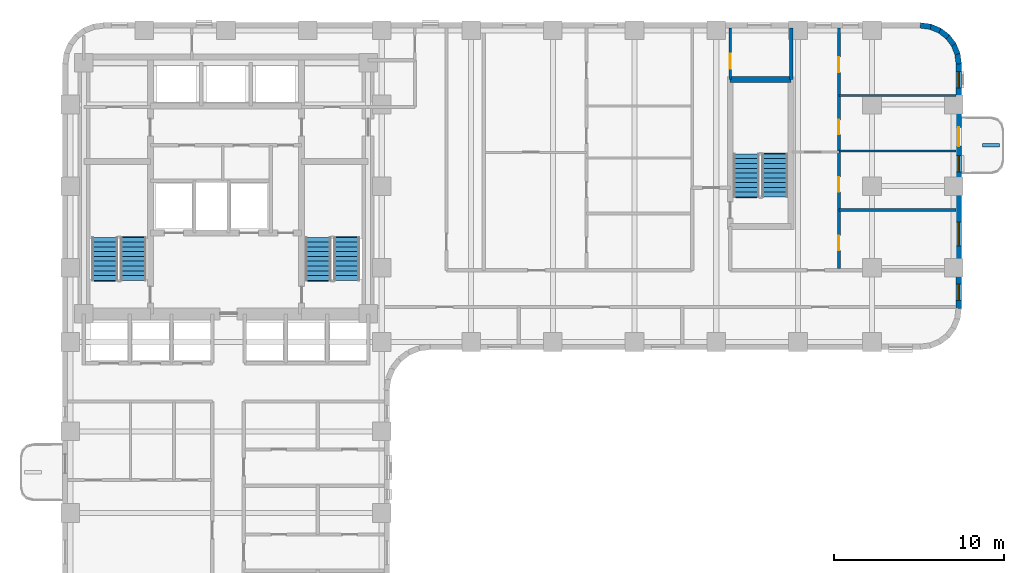
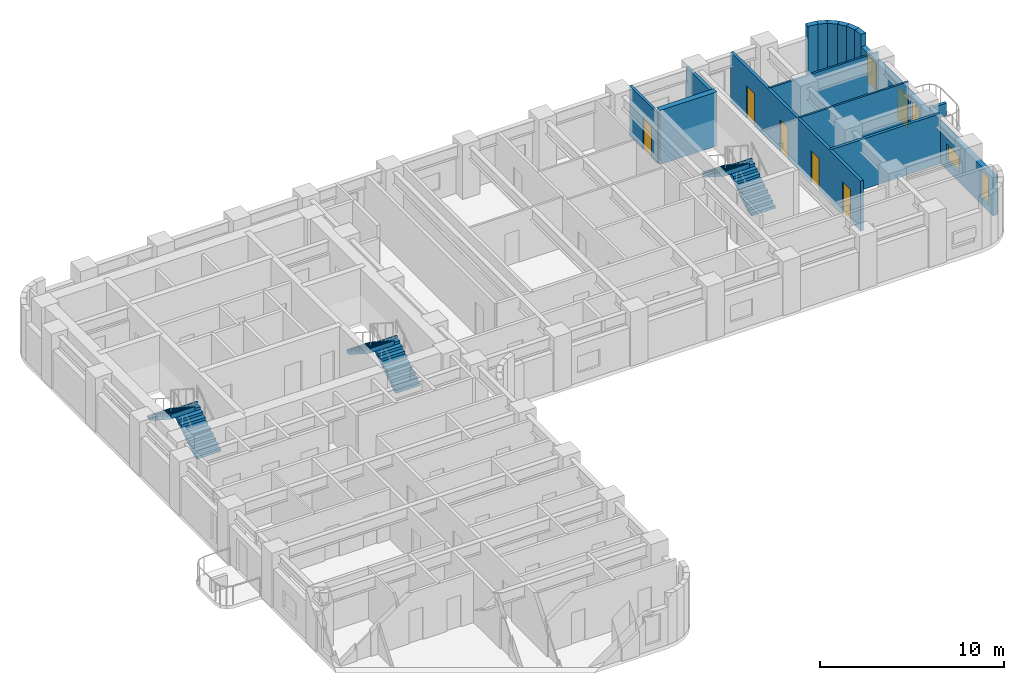
# One storey, part 7 of 11: 15 walls, 6 doors, 6 stair flights, 4 windows, 10 openings, 3 elements without a shape of their own.
"""IFC4 building model written with IfcOpenShell, lengths in metres."""

from ifc_helpers import new_model, si_unit, direction, frame, frame_2d, origin, place, context, subcontext, project, spatial, polyline, rectangle, outline, extrude, material, layer, layer_set, type_object, element, fill, aggregate, save


model = new_model("IFC4")

# Units and contexts
model_context = context("Model", 3, precision=1e-05, world=origin(), true_north=direction((0.0, 1.0)))
body_context = subcontext(model_context, "Body", "Model", "MODEL_VIEW")
ifc_project = project(units=[si_unit("LENGTHUNIT", "METRE"), si_unit("AREAUNIT", "SQUARE_METRE"), si_unit("VOLUMEUNIT", "CUBIC_METRE"), si_unit("PLANEANGLEUNIT", "RADIAN"), si_unit("MASSUNIT", "GRAM", prefix="KILO")], contexts=[model_context])

# Site, building, storey
site_placement = place(None, origin())
site = spatial("IfcSite", under=ifc_project, at=site_placement, CompositionType="ELEMENT")
building_placement = place(site_placement, origin())
building = spatial("IfcBuilding", under=site, at=building_placement, Name="Orvandelia Arch Residences", CompositionType="ELEMENT")
storey_placement = place(building_placement, frame((0.0, 0.0, 64.60009765625)))
storey = spatial("IfcBuildingStorey", under=building, at=storey_placement, Name="L16", CompositionType="ELEMENT", Elevation=64.60009765625)

# Walls
ifc_material_1 = material(Name="Concrete C50/60", Category="concrete")
ifc_layer_1 = layer(ifc_material_1, 0.35009765625, Name="Concrete C50/60", Category="concrete")
ifc_layer_set_1 = layer_set([ifc_layer_1], Name="Concrete C50/60")
wall_type_1 = type_object("IfcWallType", Name="WL-CORE-350", PredefinedType="SHEAR", material=ifc_layer_set_1)
wall_1_placement = place(storey_placement, frame((44.02001953125, 44.659912109375, 0.0), z_axis=(0.0, 0.0, 1.0), x_axis=(1.0, 0.0, 0.0)))
element("IfcWall", 1, at=wall_1_placement, inside=storey, type_object=wall_type_1, Name="East Stair Core Shear Wall L16-N", PredefinedType="SHEAR", context=body_context, shape_type="SweptSolid", body=[
    extrude(rectangle(XDim=3.580078125, YDim=0.35009765625, at=frame_2d((1.7900390625, 0.0))), origin(), (0.0, 0.0, 1.0), 3.599853515625),
])
ifc_material_2 = material(Name="Concrete C40/50", Category="concrete")
ifc_layer_2 = layer(ifc_material_2, 0.199951171875, Name="Concrete C40/50", Category="concrete")
ifc_layer_set_2 = layer_set([ifc_layer_2], Name="Concrete C40/50")
wall_type_2 = type_object("IfcWallType", Name="WL-DEM-200", PredefinedType="SOLIDWALL", material=ifc_layer_set_2)
wall_2_placement = place(storey_placement, frame((47.60009765625, 44.659912109375, 0.0), z_axis=(0.0, 0.0, 1.0), x_axis=(0.0, 1.0, 0.0)))
element("IfcWall", 2, at=wall_2_placement, inside=storey, type_object=wall_type_2, Name="Interior Partition Wall WL-L16-ES-NST3E", PredefinedType="SOLIDWALL", context=body_context, shape_type="SweptSolid", body=[
    extrude(rectangle(XDim=3.02001953125, YDim=0.199951171875, at=frame_2d((1.510009765625, 0.0))), origin(), (0.0, 0.0, 1.0), 3.349853515625),
])
ifc_material_3 = material(Name="Precast concrete C40/50", Category="concrete")
ifc_layer_3 = layer(ifc_material_3, 0.320068359375, Name="Precast concrete C40/50", Category="concrete")
ifc_layer_set_3 = layer_set([ifc_layer_3], Name="Precast concrete C40/50")
wall_type_3 = type_object("IfcWallType", Name="WL-EXT-STONE-320", PredefinedType="STANDARD", material=ifc_layer_set_3)
for number, where, z_axis, x_axis, name in (
    (3, (55.17919921875, 47.84130859375, 0.0), (0.0, 0.0, 1.0), (0.9914410257, -0.130555323746, 0.0), "Coral-Limestone Precast Facade Wall L16-008"),
    (4, (55.760009765625, 47.7705078125, 0.0), (0.0, 0.0, 1.0), (0.92389335771, -0.382650053678, 0.0), "Coral-Limestone Precast Facade Wall L16-009"),
):
    element("IfcWall", number, at=place(storey_placement, frame(where, z_axis=z_axis, x_axis=x_axis)), inside=storey, type_object=wall_type_3, Name=name, PredefinedType="STANDARD", context=body_context, shape_type="SweptSolid", body=[
        extrude(rectangle(XDim=0.62646484375, YDim=0.320068359375, at=frame_2d((0.313232421875, 0.0))), origin(), (0.0, 0.0, 1.0), 3.349853515625),
    ])
wall_3_placement = place(storey_placement, frame((56.302490234375, 47.551513671875, 0.0), z_axis=(0.0, 0.0, 1.0), x_axis=(0.793549926411, -0.608505147302, 0.0)))
element("IfcWall", 5, at=wall_3_placement, inside=storey, type_object=wall_type_3, Name="Coral-Limestone Precast Facade Wall L16-010", PredefinedType="STANDARD", context=body_context, shape_type="SweptSolid", body=[
    extrude(rectangle(XDim=0.626708984375, YDim=0.320068359375, at=frame_2d((0.3134765625, 0.0))), origin(), (0.0, 0.0, 1.0), 3.349853515625),
])
for number, where, z_axis, x_axis, name in (
    (6, (56.770263671875, 47.19970703125, 0.0), (0.0, 0.0, 1.0), (0.608693302629, -0.793405610854, 0.0), "Coral-Limestone Precast Facade Wall L16-011"),
    (7, (57.130615234375, 46.73876953125, 0.0), (0.0, 0.0, 1.0), (0.382650053678, -0.92389335771, 0.0), "Coral-Limestone Precast Facade Wall L16-012"),
    (8, (57.359619140625, 46.2001953125, 0.0), (0.0, 0.0, 1.0), (0.130555323746, -0.9914410257, 0.0), "Coral-Limestone Precast Facade Wall L16-013"),
):
    element("IfcWall", number, at=place(storey_placement, frame(where, z_axis=z_axis, x_axis=x_axis)), inside=storey, type_object=wall_type_3, Name=name, PredefinedType="STANDARD", context=body_context, shape_type="SweptSolid", body=[
        extrude(rectangle(XDim=0.62646484375, YDim=0.320068359375, at=frame_2d((0.313232421875, 0.0))), origin(), (0.0, 0.0, 1.0), 3.349853515625),
    ])

# Wall, openings, door, windows
wall_4_placement = place(storey_placement, frame((57.43994140625, 45.60009765625, 0.0), z_axis=(0.0, 0.0, 1.0), x_axis=(0.0, -1.0, 0.0)))
wall_4 = element("IfcWall", 9, at=wall_4_placement, inside=storey, type_object=wall_type_3, Name="Coral-Limestone Precast Facade Wall L16-014", PredefinedType="STANDARD", context=body_context, shape_type="SweptSolid", body=[
    extrude(rectangle(XDim=14.400146484375, YDim=0.320068359375, at=frame_2d((7.2001953125, 0.0))), origin(), (0.0, 0.0, 1.0), 2.52978515625),
])
opening_1_placement = place(wall_4_placement, frame((3.75, 0.0, 0.0)))
opening_1 = element("IfcOpeningElement", 10, at=opening_1_placement, cuts=wall_4, Name="Opening BD1", PredefinedType="OPENING", context=body_context, shape_type="SweptSolid", body=[
    extrude(rectangle(XDim=1.10009765625, YDim=2.14990234375, at=frame_2d((0.550048828125, 1.074951171875))), frame((0.0, 0.169921875, 0.0), z_axis=(0.0, -1.0, 0.0), x_axis=(1.0, 0.0, 0.0)), (0.0, 0.0, 1.0), 0.340087890625),
])
opening_2_placement = place(wall_4_placement, frame((0.469970703125, 0.0, 0.449951171875)))
opening_2 = element("IfcOpeningElement", 11, at=opening_2_placement, cuts=wall_4, Name="Opening W4", PredefinedType="OPENING", context=body_context, shape_type="SweptSolid", body=[
    extrude(rectangle(XDim=0.949951171875, YDim=1.800048828125, at=frame_2d((0.47509765625, 0.89990234375))), frame((0.0, 0.169921875, 0.0), z_axis=(0.0, -1.0, 0.0), x_axis=(1.0, 0.0, 0.0)), (0.0, 0.0, 1.0), 0.340087890625),
])
opening_3_placement = place(wall_4_placement, frame((12.9599609375, 0.0, 0.449951171875)))
opening_3 = element("IfcOpeningElement", 12, at=opening_3_placement, cuts=wall_4, Name="Opening W4", PredefinedType="OPENING", context=body_context, shape_type="SweptSolid", body=[
    extrude(rectangle(XDim=0.949951171875, YDim=1.800048828125, at=frame_2d((0.47509765625, 0.89990234375))), frame((0.0, 0.169921875, 0.0), z_axis=(0.0, -1.0, 0.0), x_axis=(1.0, 0.0, 0.0)), (0.0, 0.0, 1.0), 0.340087890625),
])
opening_4_placement = place(wall_4_placement, frame((9.3115234375, 0.0, 0.64990234375)))
opening_4 = element("IfcOpeningElement", 13, at=opening_4_placement, cuts=wall_4, Name="Opening W10", PredefinedType="OPENING", context=body_context, shape_type="SweptSolid", body=[
    extrude(rectangle(XDim=1.39990234375, YDim=1.10009765625, at=frame_2d((0.699951171875, 0.550048828125))), frame((0.0, 0.169921875, 0.0), z_axis=(0.0, -1.0, 0.0), x_axis=(1.0, 0.0, 0.0)), (0.0, 0.0, 1.0), 0.340087890625),
])
opening_5_placement = place(wall_4_placement, frame((5.407470703125, 0.0, 0.449951171875)))
opening_5 = element("IfcOpeningElement", 14, at=opening_5_placement, cuts=wall_4, Name="Opening W4", PredefinedType="OPENING", context=body_context, shape_type="SweptSolid", body=[
    extrude(rectangle(XDim=0.949951171875, YDim=1.800048828125, at=frame_2d((0.47509765625, 0.89990234375))), frame((0.0, 0.169921875, 0.0), z_axis=(0.0, -1.0, 0.0), x_axis=(1.0, 0.0, 0.0)), (0.0, 0.0, 1.0), 0.340087890625),
])
ifc_material_4 = material(Name="Thermally Broken Aluminium Glazed Door", Category="aluminium")
door_type_1 = type_object("IfcDoorType", Name="DR-BAL-GLAZ-1100", OperationType="NOTDEFINED", PredefinedType="DOOR", material=ifc_material_4)
door_1_placement = place(opening_1_placement, origin())
door_1 = element("IfcDoor", 15, at=door_1_placement, inside=storey, type_object=door_type_1, Name="Tree Balcony Glazed Door BAL-L16-E1", OperationType="SINGLE_SWING_LEFT", OverallHeight=2.14990234375, OverallWidth=1.10009765625, PredefinedType="DOOR", context=body_context, shape_type="SweptSolid", body=[
    extrude(rectangle(XDim=1.10009765625, YDim=2.14990234375, at=frame_2d((0.550048828125, 1.074951171875))), frame((0.0, 0.02490234375, 0.0), z_axis=(0.0, -1.0, 0.0), x_axis=(1.0, 0.0, 0.0)), (0.0, 0.0, 1.0), 0.050048828125),
])
fill(opening_1, door_1)
ifc_material_5 = material(Name="Tempered Low-E Insulated Glazing", Category="glass")
window_type_1 = type_object("IfcWindowType", Name="WIN-CLR-1400x1100", PartitioningType="SINGLE_PANEL", PredefinedType="WINDOW", material=ifc_material_5)
window_1_placement = place(opening_4_placement, origin())
window_1 = element("IfcWindow", 16, at=window_1_placement, inside=storey, type_object=window_type_1, Name="Recessed Punched Window L16-011", OverallHeight=1.10009765625, OverallWidth=1.39990234375, PartitioningType="SINGLE_PANEL", PredefinedType="WINDOW", context=body_context, shape_type="SweptSolid", body=[
    extrude(rectangle(XDim=1.39990234375, YDim=1.10009765625, at=frame_2d((0.699951171875, 0.550048828125))), frame((0.0, 0.030029296875, 0.0), z_axis=(0.0, -1.0, 0.0), x_axis=(1.0, 0.0, 0.0)), (0.0, 0.0, 1.0), 0.06005859375),
])
fill(opening_4, window_1)
window_type_2 = type_object("IfcWindowType", Name="WIN-RES-0950x1800", PartitioningType="SINGLE_PANEL", PredefinedType="WINDOW", material=ifc_material_5)
window_2_placement = place(opening_2_placement, origin())
window_2 = element("IfcWindow", 17, at=window_2_placement, inside=storey, type_object=window_type_2, Name="Recessed Punched Window L16-009", OverallHeight=1.800048828125, OverallWidth=0.949951171875, PartitioningType="SINGLE_PANEL", PredefinedType="WINDOW", context=body_context, shape_type="SweptSolid", body=[
    extrude(rectangle(XDim=0.949951171875, YDim=1.800048828125, at=frame_2d((0.47509765625, 0.89990234375))), frame((0.0, 0.030029296875, 0.0), z_axis=(0.0, -1.0, 0.0), x_axis=(1.0, 0.0, 0.0)), (0.0, 0.0, 1.0), 0.06005859375),
])
fill(opening_2, window_2)
window_3_placement = place(opening_3_placement, origin())
window_3 = element("IfcWindow", 18, at=window_3_placement, inside=storey, type_object=window_type_2, Name="Recessed Punched Window L16-010", OverallHeight=1.800048828125, OverallWidth=0.949951171875, PartitioningType="SINGLE_PANEL", PredefinedType="WINDOW", context=body_context, shape_type="SweptSolid", body=[
    extrude(rectangle(XDim=0.949951171875, YDim=1.800048828125, at=frame_2d((0.47509765625, 0.89990234375))), frame((0.0, 0.030029296875, 0.0), z_axis=(0.0, -1.0, 0.0), x_axis=(1.0, 0.0, 0.0)), (0.0, 0.0, 1.0), 0.06005859375),
])
fill(opening_3, window_3)
window_4_placement = place(opening_5_placement, origin())
window_4 = element("IfcWindow", 19, at=window_4_placement, inside=storey, type_object=window_type_2, Name="Recessed Punched Window L16-012", OverallHeight=1.800048828125, OverallWidth=0.949951171875, PartitioningType="SINGLE_PANEL", PredefinedType="WINDOW", context=body_context, shape_type="SweptSolid", body=[
    extrude(rectangle(XDim=0.949951171875, YDim=1.800048828125, at=frame_2d((0.47509765625, 0.89990234375))), frame((0.0, 0.030029296875, 0.0), z_axis=(0.0, -1.0, 0.0), x_axis=(1.0, 0.0, 0.0)), (0.0, 0.0, 1.0), 0.06005859375),
])
fill(opening_5, window_4)

# Walls
ifc_material_6 = material(Name="Lightweight Gypsum Stud Partition")
ifc_layer_4 = layer(ifc_material_6, 0.1201171875, Name="Lightweight Gypsum Stud Partition")
ifc_layer_set_4 = layer_set([ifc_layer_4], Name="Lightweight Gypsum Stud Partition")
wall_type_4 = type_object("IfcWallType", Name="WL-PART-120", PredefinedType="PARTITIONING", material=ifc_layer_set_4)
for number, where, z_axis, x_axis, name in (
    (20, (50.39697265625, 40.465087890625, 0.0), (0.0, 0.0, 1.0), (1.0, 0.0, 0.0), "Interior Partition Wall WL-L16-U08-H1B"),
    (21, (50.39697265625, 43.718994140625, 0.0), (0.0, 0.0, 1.0), (1.0, 0.0, 0.0), "Interior Partition Wall WL-L16-U08-H2"),
):
    element("IfcWall", number, at=place(storey_placement, frame(where, z_axis=z_axis, x_axis=x_axis)), inside=storey, type_object=wall_type_4, Name=name, PredefinedType="PARTITIONING", context=body_context, shape_type="SweptSolid", body=[
        extrude(rectangle(XDim=6.883056640625, YDim=0.1201171875, at=frame_2d((3.44140625, 0.0))), origin(), (0.0, 0.0, 1.0), 3.349853515625),
    ])

# Wall, opening, door
ifc_material_7 = material(Name="Acoustic Gypsum Stud Partition")
ifc_layer_5 = layer(ifc_material_7, 0.14990234375, Name="Acoustic Gypsum Stud Partition")
ifc_layer_set_5 = layer_set([ifc_layer_5], Name="Acoustic Gypsum Stud Partition")
wall_type_5 = type_object("IfcWallType", Name="WL-PART-150", PredefinedType="PARTITIONING", material=ifc_layer_set_5)
wall_5_placement = place(storey_placement, frame((44.02001953125, 44.659912109375, 0.0), z_axis=(0.0, 0.0, 1.0), x_axis=(0.0, 1.0, 0.0)))
wall_5 = element("IfcWall", 22, at=wall_5_placement, inside=storey, type_object=wall_type_5, Name="Interior Partition Wall WL-L16-ES-NST3W", PredefinedType="PARTITIONING", context=body_context, shape_type="SweptSolid", body=[
    extrude(rectangle(XDim=3.02001953125, YDim=0.14990234375, at=frame_2d((1.510009765625, 0.0))), origin(), (0.0, 0.0, 1.0), 3.349853515625),
])
opening_6_placement = place(wall_5_placement, frame((0.64990234375, 0.0, 0.0)))
opening_6 = element("IfcOpeningElement", 23, at=opening_6_placement, cuts=wall_5, Name="Opening D5", PredefinedType="OPENING", context=body_context, shape_type="SweptSolid", body=[
    extrude(rectangle(XDim=0.8798828125, YDim=2.10009765625, at=frame_2d((0.43994140625, 1.050048828125))), frame((0.0, 0.0849609375, 0.0), z_axis=(0.0, -1.0, 0.0), x_axis=(1.0, 0.0, 0.0)), (0.0, 0.0, 1.0), 0.169921875),
])
ifc_material_8 = material(Name="Painted Galvanised Steel Service Door", Category="steel")
door_type_2 = type_object("IfcDoorType", Name="DR-SRV-880", OperationType="NOTDEFINED", PredefinedType="DOOR", material=ifc_material_8)
door_2_placement = place(opening_6_placement, origin())
door_2 = element("IfcDoor", 24, at=door_2_placement, inside=storey, type_object=door_type_2, Name="DR-L16-ESNST3", OperationType="SINGLE_SWING_RIGHT", OverallHeight=2.10009765625, OverallWidth=0.8798828125, PredefinedType="DOOR", context=body_context, shape_type="SweptSolid", body=[
    extrude(rectangle(XDim=0.8798828125, YDim=2.10009765625, at=frame_2d((0.43994140625, 1.050048828125))), frame((0.0, 0.02490234375, 0.0), z_axis=(0.0, -1.0, 0.0), x_axis=(1.0, 0.0, 0.0)), (0.0, 0.0, 1.0), 0.050048828125),
])
fill(opening_6, door_2)

# Wall
ifc_layer_6 = layer(ifc_material_3, 0.199951171875, Name="Precast concrete C40/50", Category="concrete")
ifc_layer_set_6 = layer_set([ifc_layer_6], Name="Precast concrete C40/50")
wall_type_6 = type_object("IfcWallType", Name="WL-PLANTER-200", PredefinedType="MOVABLE", material=ifc_layer_set_6)
wall_6_placement = place(storey_placement, frame((58.85009765625, 40.800048828125, 0.0), z_axis=(0.0, 0.0, 1.0), x_axis=(1.0, 0.0, 0.0)))
element("IfcWall", 25, at=wall_6_placement, inside=storey, type_object=wall_type_6, Name="Balcony Precast Tree Planter BAL-L16-E1", PredefinedType="MOVABLE", context=body_context, shape_type="SweptSolid", body=[
    extrude(rectangle(XDim=1.0, YDim=0.199951171875, at=frame_2d((0.5, 0.0))), origin(), (0.0, 0.0, 1.0), 0.849853515625),
])

# Wall, openings, doors
ifc_material_9 = material(Name="Moisture-Resistant Plumbing Wall")
ifc_layer_7 = layer(ifc_material_9, 0.179931640625, Name="Moisture-Resistant Plumbing Wall")
ifc_layer_set_7 = layer_set([ifc_layer_7], Name="Moisture-Resistant Plumbing Wall")
wall_type_7 = type_object("IfcWallType", Name="WL-WET-180", PredefinedType="PLUMBINGWALL", material=ifc_layer_set_7)
wall_7_placement = place(storey_placement, frame((50.39697265625, 33.550048828125, 0.0), z_axis=(0.0, 0.0, 1.0), x_axis=(0.0, 1.0, 0.0)))
wall_7 = element("IfcWall", 26, at=wall_7_placement, inside=storey, type_object=wall_type_7, Name="Interior Partition Wall WL-L16-U08-VT", PredefinedType="PLUMBINGWALL", context=body_context, shape_type="SweptSolid", body=[
    extrude(rectangle(XDim=14.1298828125, YDim=0.179931640625, at=frame_2d((7.06494140625, 0.0))), origin(), (0.0, 0.0, 1.0), 3.349853515625),
])
opening_7_placement = place(wall_7_placement, frame((1.0830078125, 0.0, 0.0)))
opening_7 = element("IfcOpeningElement", 27, at=opening_7_placement, cuts=wall_7, Name="Opening D4", PredefinedType="OPENING", context=body_context, shape_type="SweptSolid", body=[
    extrude(rectangle(XDim=0.860107421875, YDim=2.10009765625, at=frame_2d((0.43017578125, 1.050048828125))), frame((0.0, 0.10009765625, 0.0), z_axis=(0.0, -1.0, 0.0), x_axis=(1.0, 0.0, 0.0)), (0.0, 0.0, 1.0), 0.199951171875),
])
opening_8_placement = place(wall_7_placement, frame((4.51806640625, 0.0, 0.0)))
opening_8 = element("IfcOpeningElement", 28, at=opening_8_placement, cuts=wall_7, Name="Opening D4", PredefinedType="OPENING", context=body_context, shape_type="SweptSolid", body=[
    extrude(rectangle(XDim=0.860107421875, YDim=2.10009765625, at=frame_2d((0.43017578125, 1.050048828125))), frame((0.0, 0.10009765625, 0.0), z_axis=(0.0, -1.0, 0.0), x_axis=(1.0, 0.0, 0.0)), (0.0, 0.0, 1.0), 0.199951171875),
])
opening_9_placement = place(wall_7_placement, frame((7.88427734375, 0.0, 0.0)))
opening_9 = element("IfcOpeningElement", 29, at=opening_9_placement, cuts=wall_7, Name="Opening D4", PredefinedType="OPENING", context=body_context, shape_type="SweptSolid", body=[
    extrude(rectangle(XDim=0.860107421875, YDim=2.10009765625, at=frame_2d((0.43017578125, 1.050048828125))), frame((0.0, 0.10009765625, 0.0), z_axis=(0.0, -1.0, 0.0), x_axis=(1.0, 0.0, 0.0)), (0.0, 0.0, 1.0), 0.199951171875),
])
opening_10_placement = place(wall_7_placement, frame((11.5283203125, 0.0, 0.0)))
opening_10 = element("IfcOpeningElement", 30, at=opening_10_placement, cuts=wall_7, Name="Opening D3", PredefinedType="OPENING", context=body_context, shape_type="SweptSolid", body=[
    extrude(rectangle(XDim=0.89990234375, YDim=2.14990234375, at=frame_2d((0.449951171875, 1.074951171875))), frame((0.0, 0.10009765625, 0.0), z_axis=(0.0, -1.0, 0.0), x_axis=(1.0, 0.0, 0.0)), (0.0, 0.0, 1.0), 0.199951171875),
])
ifc_material_10 = material(Name="Engineered Timber Flush Door", Category="wood")
door_type_3 = type_object("IfcDoorType", Name="DR-INT-900", OperationType="NOTDEFINED", PredefinedType="DOOR", material=ifc_material_10)
door_3_placement = place(opening_10_placement, origin())
door_3 = element("IfcDoor", 31, at=door_3_placement, inside=storey, type_object=door_type_3, Name="DR-L16-U08-BD1", OperationType="SINGLE_SWING_RIGHT", OverallHeight=2.14990234375, OverallWidth=0.89990234375, PredefinedType="DOOR", context=body_context, shape_type="SweptSolid", body=[
    extrude(rectangle(XDim=0.89990234375, YDim=2.14990234375, at=frame_2d((0.449951171875, 1.074951171875))), frame((0.0, 0.02490234375, 0.0), z_axis=(0.0, -1.0, 0.0), x_axis=(1.0, 0.0, 0.0)), (0.0, 0.0, 1.0), 0.050048828125),
])
fill(opening_10, door_3)
ifc_material_11 = material(Name="Moisture-Sealed Timber Bathroom Door", Category="wood")
door_type_4 = type_object("IfcDoorType", Name="DR-WET-900", OperationType="NOTDEFINED", PredefinedType="DOOR", material=ifc_material_11)
door_4_placement = place(opening_7_placement, origin())
door_4 = element("IfcDoor", 32, at=door_4_placement, inside=storey, type_object=door_type_4, Name="DR-L16-U08-BTH", OperationType="SINGLE_SWING_LEFT", OverallHeight=2.10009765625, OverallWidth=0.860107421875, PredefinedType="DOOR", context=body_context, shape_type="SweptSolid", body=[
    extrude(rectangle(XDim=0.860107421875, YDim=2.10009765625, at=frame_2d((0.43017578125, 1.050048828125))), frame((0.0, 0.02490234375, 0.0), z_axis=(0.0, -1.0, 0.0), x_axis=(1.0, 0.0, 0.0)), (0.0, 0.0, 1.0), 0.050048828125),
])
fill(opening_7, door_4)
door_5_placement = place(opening_8_placement, origin())
door_5 = element("IfcDoor", 33, at=door_5_placement, inside=storey, type_object=door_type_4, Name="DR-L16-U08-KIT", OperationType="SINGLE_SWING_RIGHT", OverallHeight=2.10009765625, OverallWidth=0.860107421875, PredefinedType="DOOR", context=body_context, shape_type="SweptSolid", body=[
    extrude(rectangle(XDim=0.860107421875, YDim=2.10009765625, at=frame_2d((0.43017578125, 1.050048828125))), frame((0.0, 0.02490234375, 0.0), z_axis=(0.0, -1.0, 0.0), x_axis=(1.0, 0.0, 0.0)), (0.0, 0.0, 1.0), 0.050048828125),
])
fill(opening_8, door_5)
door_6_placement = place(opening_9_placement, origin())
door_6 = element("IfcDoor", 34, at=door_6_placement, inside=storey, type_object=door_type_4, Name="DR-L16-U08-STDY", OperationType="SINGLE_SWING_LEFT", OverallHeight=2.10009765625, OverallWidth=0.860107421875, PredefinedType="DOOR", context=body_context, shape_type="SweptSolid", body=[
    extrude(rectangle(XDim=0.860107421875, YDim=2.10009765625, at=frame_2d((0.43017578125, 1.050048828125))), frame((0.0, 0.02490234375, 0.0), z_axis=(0.0, -1.0, 0.0), x_axis=(1.0, 0.0, 0.0)), (0.0, 0.0, 1.0), 0.050048828125),
])
fill(opening_9, door_6)

# Wall
wall_8_placement = place(storey_placement, frame((50.39697265625, 37.007080078125, 0.0), z_axis=(0.0, 0.0, 1.0), x_axis=(1.0, 0.0, 0.0)))
element("IfcWall", 35, at=wall_8_placement, inside=storey, type_object=wall_type_7, Name="Interior Partition Wall WL-L16-U08-H1", PredefinedType="PLUMBINGWALL", context=body_context, shape_type="SweptSolid", body=[
    extrude(rectangle(XDim=6.883056640625, YDim=0.179931640625, at=frame_2d((3.44140625, 0.0))), origin(), (0.0, 0.0, 1.0), 3.349853515625),
])

# Stair, stair flights
stair_type = type_object("IfcStairType", Name="STAIR-RC-DOGLEG", PredefinedType="HALF_TURN_STAIR", material=ifc_material_2)
stair_1_placement = place(storey_placement, origin())
stair_1 = element("IfcStair", 36, at=stair_1_placement, inside=storey, type_object=stair_type, Name="L16 Protected Exit Stair ST-1", PredefinedType="HALF_TURN_STAIR")
stair_flight_type = type_object("IfcStairFlightType", Name="STFLT-RC-1520", PredefinedType="STRAIGHT", material=ifc_material_2)
stair_flight_1_placement = place(storey_placement, frame((8.9599609375, 32.8701171875, 0.0), z_axis=(0.0, 0.0, 1.0), x_axis=(0.0, 1.0, 0.0)))
stair_flight_1 = element("IfcStairFlight", 37, at=stair_flight_1_placement, type_object=stair_flight_type, Name="ST-1 flight 1", NumberOfRisers=10, NumberOfTreads=9, PredefinedType="STRAIGHT", RiserHeight=0.18, TreadLength=0.28, context=body_context, shape_type="SweptSolid", body=[
    extrude(outline(polyline([(0.0, 0.0), (0.0, 0.179931640625), (0.280029296875, 0.179931640625), (0.280029296875, 0.360107421875), (0.56005859375, 0.360107421875), (0.56005859375, 0.5400390625), (0.840087890625, 0.5400390625), (0.840087890625, 0.719970703125), (1.1201171875, 0.719970703125), (1.1201171875, 0.89990234375), (1.39990234375, 0.89990234375), (1.39990234375, 1.080078125), (1.679931640625, 1.080078125), (1.679931640625, 1.260009765625), (1.9599609375, 1.260009765625), (1.9599609375, 1.43994140625), (2.239990234375, 1.43994140625), (2.239990234375, 1.6201171875), (2.52001953125, 1.6201171875), (2.52001953125, 1.800048828125), (2.580078125, 1.800048828125), (2.580078125, 1.6201171875), (2.52001953125, 1.44189453125), (0.277099609375, 0.0), (0.0, 0.0)])), frame((0.0, 0.760009765625, 0.0), z_axis=(0.0, -1.0, 0.0), x_axis=(1.0, 0.0, 0.0)), (0.0, 0.0, 1.0), 1.52001953125),
])
stair_flight_2_placement = place(storey_placement, frame((7.2900390625, 35.389892578125, 1.7998046875), z_axis=(0.0, 0.0, 1.0), x_axis=(0.0, -1.0, 0.0)))
stair_flight_2 = element("IfcStairFlight", 38, at=stair_flight_2_placement, type_object=stair_flight_type, Name="ST-1 flight 2", NumberOfRisers=10, NumberOfTreads=9, PredefinedType="STRAIGHT", RiserHeight=0.18, TreadLength=0.28, context=body_context, shape_type="SweptSolid", body=[
    extrude(outline(polyline([(0.0, 0.0), (0.0, 0.179931640625), (0.280029296875, 0.179931640625), (0.280029296875, 0.360107421875), (0.56005859375, 0.360107421875), (0.56005859375, 0.5400390625), (0.840087890625, 0.5400390625), (0.840087890625, 0.719970703125), (1.1201171875, 0.719970703125), (1.1201171875, 0.89990234375), (1.39990234375, 0.89990234375), (1.39990234375, 1.080078125), (1.679931640625, 1.080078125), (1.679931640625, 1.260009765625), (1.9599609375, 1.260009765625), (1.9599609375, 1.43994140625), (2.239990234375, 1.43994140625), (2.239990234375, 1.6201171875), (2.52001953125, 1.6201171875), (2.52001953125, 1.800048828125), (2.580078125, 1.800048828125), (2.580078125, 1.6201171875), (2.52001953125, 1.44189453125), (0.277099609375, 0.0), (0.0, 0.0)])), frame((0.0, 0.760009765625, 0.0), z_axis=(0.0, -1.0, 0.0), x_axis=(1.0, 0.0, 0.0)), (0.0, 0.0, 1.0), 1.52001953125),
])
aggregate(stair_1, [stair_flight_1, stair_flight_2])

stair_2_placement = place(storey_placement, origin())
stair_2 = element("IfcStair", 39, at=stair_2_placement, inside=storey, type_object=stair_type, Name="L16 Protected Exit Stair ST-2", PredefinedType="HALF_TURN_STAIR")
stair_flight_3_placement = place(storey_placement, frame((21.489990234375, 32.8701171875, 0.0), z_axis=(0.0, 0.0, 1.0), x_axis=(0.0, 1.0, 0.0)))
stair_flight_3 = element("IfcStairFlight", 40, at=stair_flight_3_placement, type_object=stair_flight_type, Name="ST-2 flight 1", NumberOfRisers=10, NumberOfTreads=9, PredefinedType="STRAIGHT", RiserHeight=0.18, TreadLength=0.28, context=body_context, shape_type="SweptSolid", body=[
    extrude(outline(polyline([(0.0, 0.0), (0.0, 0.179931640625), (0.280029296875, 0.179931640625), (0.280029296875, 0.360107421875), (0.56005859375, 0.360107421875), (0.56005859375, 0.5400390625), (0.840087890625, 0.5400390625), (0.840087890625, 0.719970703125), (1.1201171875, 0.719970703125), (1.1201171875, 0.89990234375), (1.39990234375, 0.89990234375), (1.39990234375, 1.080078125), (1.679931640625, 1.080078125), (1.679931640625, 1.260009765625), (1.9599609375, 1.260009765625), (1.9599609375, 1.43994140625), (2.239990234375, 1.43994140625), (2.239990234375, 1.6201171875), (2.52001953125, 1.6201171875), (2.52001953125, 1.800048828125), (2.580078125, 1.800048828125), (2.580078125, 1.6201171875), (2.52001953125, 1.44189453125), (0.277099609375, 0.0), (0.0, 0.0)])), frame((0.0, 0.760009765625, 0.0), z_axis=(0.0, -1.0, 0.0), x_axis=(1.0, 0.0, 0.0)), (0.0, 0.0, 1.0), 1.52001953125),
])
stair_flight_4_placement = place(storey_placement, frame((19.820068359375, 35.389892578125, 1.7998046875), z_axis=(0.0, 0.0, 1.0), x_axis=(0.0, -1.0, 0.0)))
stair_flight_4 = element("IfcStairFlight", 41, at=stair_flight_4_placement, type_object=stair_flight_type, Name="ST-2 flight 2", NumberOfRisers=10, NumberOfTreads=9, PredefinedType="STRAIGHT", RiserHeight=0.18, TreadLength=0.28, context=body_context, shape_type="SweptSolid", body=[
    extrude(outline(polyline([(0.0, 0.0), (0.0, 0.179931640625), (0.280029296875, 0.179931640625), (0.280029296875, 0.360107421875), (0.56005859375, 0.360107421875), (0.56005859375, 0.5400390625), (0.840087890625, 0.5400390625), (0.840087890625, 0.719970703125), (1.1201171875, 0.719970703125), (1.1201171875, 0.89990234375), (1.39990234375, 0.89990234375), (1.39990234375, 1.080078125), (1.679931640625, 1.080078125), (1.679931640625, 1.260009765625), (1.9599609375, 1.260009765625), (1.9599609375, 1.43994140625), (2.239990234375, 1.43994140625), (2.239990234375, 1.6201171875), (2.52001953125, 1.6201171875), (2.52001953125, 1.800048828125), (2.580078125, 1.800048828125), (2.580078125, 1.6201171875), (2.52001953125, 1.44189453125), (0.277099609375, 0.0), (0.0, 0.0)])), frame((0.0, 0.760009765625, 0.0), z_axis=(0.0, -1.0, 0.0), x_axis=(1.0, 0.0, 0.0)), (0.0, 0.0, 1.0), 1.52001953125),
])
aggregate(stair_2, [stair_flight_3, stair_flight_4])

stair_3_placement = place(storey_placement, origin())
stair_3 = element("IfcStair", 42, at=stair_3_placement, inside=storey, type_object=stair_type, Name="L16 East Wing Exit Stair ST-3", PredefinedType="HALF_TURN_STAIR")
stair_flight_5_placement = place(storey_placement, frame((46.639892578125, 37.77001953125, 0.0), z_axis=(0.0, 0.0, 1.0), x_axis=(0.0, 1.0, 0.0)))
stair_flight_5 = element("IfcStairFlight", 43, at=stair_flight_5_placement, type_object=stair_flight_type, Name="ST-3 flight 1", NumberOfRisers=10, NumberOfTreads=9, PredefinedType="STRAIGHT", RiserHeight=0.18, TreadLength=0.28, context=body_context, shape_type="SweptSolid", body=[
    extrude(outline(polyline([(0.0, 0.0), (0.0, 0.179931640625), (0.280029296875, 0.179931640625), (0.280029296875, 0.360107421875), (0.56005859375, 0.360107421875), (0.56005859375, 0.5400390625), (0.840087890625, 0.5400390625), (0.840087890625, 0.719970703125), (1.1201171875, 0.719970703125), (1.1201171875, 0.89990234375), (1.39990234375, 0.89990234375), (1.39990234375, 1.080078125), (1.679931640625, 1.080078125), (1.679931640625, 1.260009765625), (1.9599609375, 1.260009765625), (1.9599609375, 1.43994140625), (2.239990234375, 1.43994140625), (2.239990234375, 1.6201171875), (2.52001953125, 1.6201171875), (2.52001953125, 1.800048828125), (2.580078125, 1.800048828125), (2.580078125, 1.6201171875), (2.52001953125, 1.44189453125), (0.277099609375, 0.0), (0.0, 0.0)])), frame((0.0, 0.760009765625, 0.0), z_axis=(0.0, -1.0, 0.0), x_axis=(1.0, 0.0, 0.0)), (0.0, 0.0, 1.0), 1.52001953125),
])
stair_flight_6_placement = place(storey_placement, frame((44.969970703125, 40.2900390625, 1.7998046875), z_axis=(0.0, 0.0, 1.0), x_axis=(0.0, -1.0, 0.0)))
stair_flight_6 = element("IfcStairFlight", 44, at=stair_flight_6_placement, type_object=stair_flight_type, Name="ST-3 flight 2", NumberOfRisers=10, NumberOfTreads=9, PredefinedType="STRAIGHT", RiserHeight=0.18, TreadLength=0.28, context=body_context, shape_type="SweptSolid", body=[
    extrude(outline(polyline([(0.0, 0.0), (0.0, 0.179931640625), (0.280029296875, 0.179931640625), (0.280029296875, 0.360107421875), (0.56005859375, 0.360107421875), (0.56005859375, 0.5400390625), (0.840087890625, 0.5400390625), (0.840087890625, 0.719970703125), (1.1201171875, 0.719970703125), (1.1201171875, 0.89990234375), (1.39990234375, 0.89990234375), (1.39990234375, 1.080078125), (1.679931640625, 1.080078125), (1.679931640625, 1.260009765625), (1.9599609375, 1.260009765625), (1.9599609375, 1.43994140625), (2.239990234375, 1.43994140625), (2.239990234375, 1.6201171875), (2.52001953125, 1.6201171875), (2.52001953125, 1.800048828125), (2.580078125, 1.800048828125), (2.580078125, 1.6201171875), (2.52001953125, 1.44189453125), (0.277099609375, 0.0), (0.0, 0.0)])), frame((0.0, 0.760009765625, 0.0), z_axis=(0.0, -1.0, 0.0), x_axis=(1.0, 0.0, 0.0)), (0.0, 0.0, 1.0), 1.52001953125),
])
aggregate(stair_3, [stair_flight_5, stair_flight_6])

save(model, "model.ifc")
